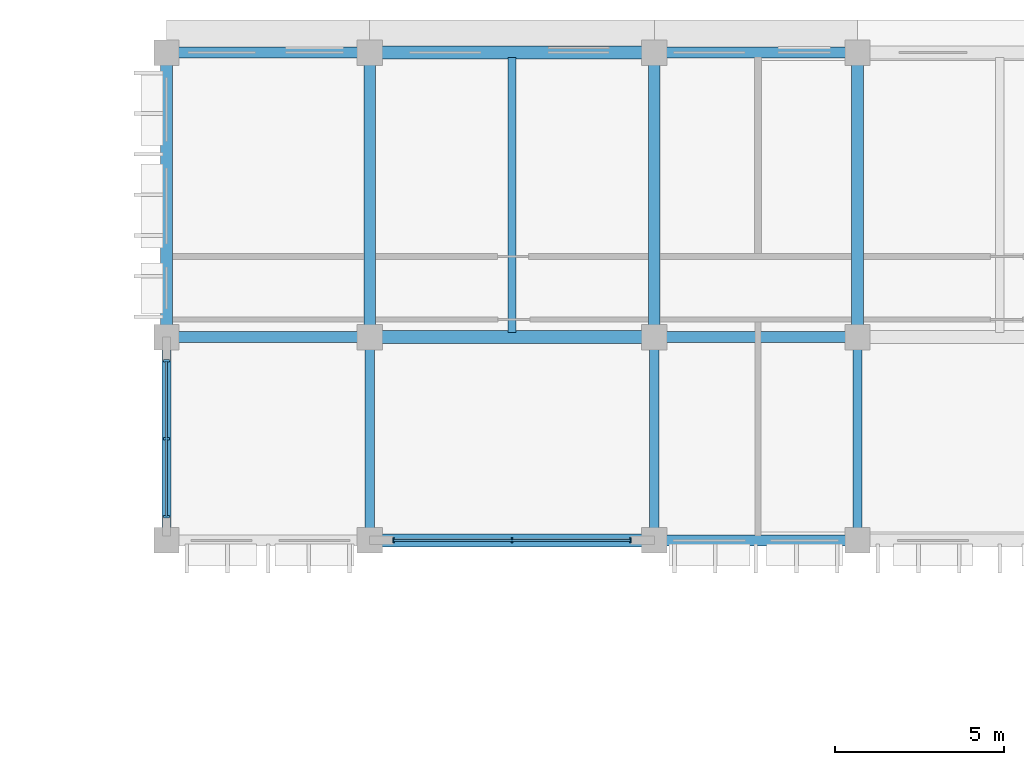
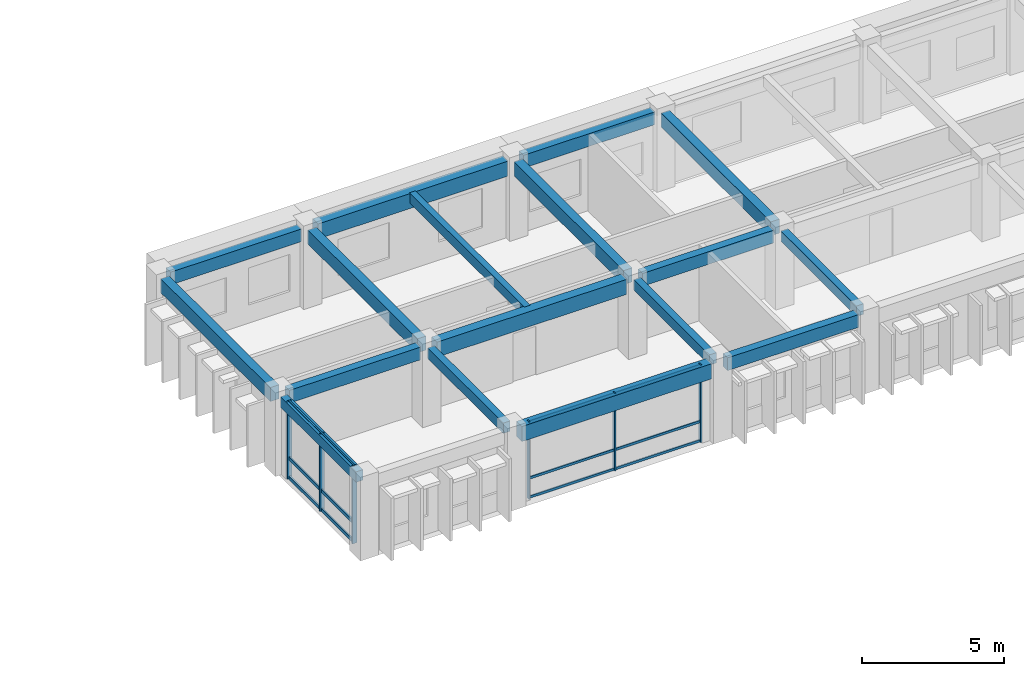
# One storey, part 29 of 88: 17 beams, 12 members, 2 elements without a shape of their own.
"""IFC4 building model written with IfcOpenShell, lengths in metres."""

import ifcopenshell
import ifcopenshell.guid

model = None  # the IFC model being written
_history = None  # IfcOwnerHistory: only IFC2X3 demands one
_inside = {}  # id of a spatial element -> (the spatial element, [elements in it])
_under = {}  # id of a project, library or spatial element -> (it, [spatial elements below it])
_declared = {}  # id of a project -> (the project, [libraries it declares])
_typed = {}  # id of a type object -> (the type object, [elements of that type])
_made_of = {}  # id of a material, layer set ... -> (it, [elements and type objects made of it])


def new_model(schema):
    """Start an empty IFC model of exactly this schema.

    Asked for "IFC4X3", IfcOpenShell would pick the latest addendum, in which some entities
    have other attributes; the version numbers below select the first issue.
    IFC2X3 requires an IfcOwnerHistory on every rooted entity: one is made here for all.
    """
    global model, _history
    if schema == "IFC4X3":
        model = ifcopenshell.file(schema_version=(4, 3, 0, 0))
    else:
        model = ifcopenshell.file(schema=schema)
    _inside.clear()
    _under.clear()
    _declared.clear()
    _typed.clear()
    _made_of.clear()
    _history = None
    if model.schema == "IFC2X3":
        org = make("IfcOrganization", Name="unknown")
        user = make(
            "IfcPersonAndOrganization",
            ThePerson=make("IfcPerson", FamilyName="unknown"),
            TheOrganization=org,
        )
        app = make(
            "IfcApplication",
            ApplicationDeveloper=org,
            Version="unknown",
            ApplicationFullName="unknown",
            ApplicationIdentifier="unknown",
        )
        _history = make(
            "IfcOwnerHistory",
            OwningUser=user,
            OwningApplication=app,
            ChangeAction="ADDED",
            CreationDate=0,
        )
    return model


def make(cls, **values):
    """One entity of the class cls with the attributes given. An attribute that is None is left unset."""
    return model.create_entity(
        cls, **{name: value for name, value in values.items() if value is not None}
    )


def rooted(cls, **values):
    """An entity with a GlobalId (a new one), such as an element, a storey or a relation."""
    return make(cls, GlobalId=ifcopenshell.guid.new(), OwnerHistory=_history, **values)


def si_unit(unit_type, name, prefix=None):
    """IfcSIUnit, for example si_unit("LENGTHUNIT", "METRE", prefix="MILLI")."""
    return make("IfcSIUnit", UnitType=unit_type, Prefix=prefix, Name=name)


def assignment(units):
    """IfcUnitAssignment: the units of a project."""
    return None if units is None else make("IfcUnitAssignment", Units=units)


def point(xyz):
    """IfcCartesianPoint."""
    return None if xyz is None else make("IfcCartesianPoint", Coordinates=xyz)


def direction(xyz):
    """IfcDirection."""
    return None if xyz is None else make("IfcDirection", DirectionRatios=xyz)


def frame(location, z_axis=None, x_axis=None):
    """IfcAxis2Placement3D, a coordinate frame: its origin and axes. An axis left out is left unset."""
    return make(
        "IfcAxis2Placement3D",
        Location=point(location),
        Axis=direction(z_axis),
        RefDirection=direction(x_axis),
    )


def frame_2d(location, x_axis=None):
    """IfcAxis2Placement2D, a coordinate frame in the plane: its origin and x axis."""
    return make(
        "IfcAxis2Placement2D", Location=point(location), RefDirection=direction(x_axis)
    )


def origin():
    """The frame at (0, 0, 0) with its axes left unset."""
    return frame((0.0, 0.0, 0.0))


def origin_2d():
    """The frame at (0, 0) in the plane with its x axis left unset."""
    return frame_2d((0.0, 0.0))


def place(relative_to, where):
    """IfcLocalPlacement: puts the frame where relative to a parent placement (None: the world)."""
    return make(
        "IfcLocalPlacement", PlacementRelTo=relative_to, RelativePlacement=where
    )


def context(
    kind, dimensions, precision=None, world=None, true_north=None, identifier=None
):
    """IfcGeometricRepresentationContext, for example the 3D "Model" context."""
    return make(
        "IfcGeometricRepresentationContext",
        ContextIdentifier=identifier,
        ContextType=kind,
        CoordinateSpaceDimension=dimensions,
        Precision=precision,
        WorldCoordinateSystem=world,
        TrueNorth=true_north,
    )


def subcontext(parent, identifier, kind, view, scale=None):
    """IfcGeometricRepresentationSubContext, for example "Body" below "Model"."""
    return make(
        "IfcGeometricRepresentationSubContext",
        ContextIdentifier=identifier,
        ContextType=kind,
        ParentContext=parent,
        TargetScale=scale,
        TargetView=view,
    )


def project(units=None, contexts=None):
    """IfcProject with its units and contexts."""
    return rooted(
        "IfcProject",
        Name="project",
        RepresentationContexts=contexts,
        UnitsInContext=assignment(units),
    )


def spatial(cls, under=None, at=None, **own):
    """A site, building, storey or space (cls), placed at a placement, below another one or the project."""
    s = rooted(cls, ObjectPlacement=at, **own)
    if under is not None:
        _under.setdefault(under.id(), (under, []))[1].append(s)
    return s


def profile(cls, at=None, kind="AREA", **sizes):
    """A parametric profile (cls). Its sizes go by their IFC names, for example OverallWidth=200.0."""
    return make(cls, ProfileType=kind, Position=at, **sizes)


def rectangle(**sizes):
    """IfcRectangleProfileDef."""
    return profile("IfcRectangleProfileDef", **sizes)


def extrude(swept, where, along, depth):
    """IfcExtrudedAreaSolid: the profile swept, set in the frame where, extruded along a direction by depth."""
    return make(
        "IfcExtrudedAreaSolid",
        SweptArea=swept,
        Position=where,
        ExtrudedDirection=direction(along),
        Depth=depth,
    )


def shape(context_of_items, identifier, shape_type, items):
    """IfcShapeRepresentation: the items that make up one representation, for example the "Body"."""
    return make(
        "IfcShapeRepresentation",
        ContextOfItems=context_of_items,
        RepresentationIdentifier=identifier,
        RepresentationType=shape_type,
        Items=items,
    )


def material(Name=None, Category=None):
    """IfcMaterial."""
    return make("IfcMaterial", Name=Name, Category=Category)


def material_profile(
    of_material, cross_section, Name=None, Category=None, Priority=None
):
    """IfcMaterialProfile: a cross section and its material."""
    return make(
        "IfcMaterialProfile",
        Name=Name,
        Material=of_material,
        Profile=cross_section,
        Priority=Priority,
        Category=Category,
    )


def profile_set(profiles, Name=None, composite=None):
    """IfcMaterialProfileSet."""
    return make(
        "IfcMaterialProfileSet",
        Name=Name,
        MaterialProfiles=profiles,
        CompositeProfile=composite,
    )


def made_of(thing, what):
    """Note that an element or type object is made of a material, layer set ...; save() writes the relation."""
    if what is not None:
        _made_of.setdefault(what.id(), (what, []))[1].append(thing)
    return thing


def type_object(cls, material=None, **own):
    """A type object (cls), such as IfcWallType, which elements share."""
    return made_of(rooted(cls, **own), material)


def element(
    cls,
    number,
    at=None,
    inside=None,
    cuts=None,
    type_object=None,
    material=None,
    context=None,
    identifier="Body",
    shape_type=None,
    held_by="IfcProductDefinitionShape",
    body=None,
    shapes=None,
    **own,
):
    """One element of the class cls, such as IfcWall. Its Tag is "e" and its number.

    at: its placement. inside: the storey or other place that contains it. cuts: it is an
    opening in that element (IfcRelVoidsElement). A single representation is given by context,
    identifier, shape_type and body (its items); several are given by shapes. held_by: the class
    of the entity that holds the representations. save() writes the other relations.
    """
    e = rooted(cls, Tag="e%d" % number, ObjectPlacement=at, **own)
    if body is not None:
        shapes = [shape(context, identifier, shape_type, body)]
    if shapes is not None:
        e.Representation = make(held_by, Representations=shapes)
    if inside is not None:
        _inside.setdefault(inside.id(), (inside, []))[1].append(e)
    if cuts is not None:
        rooted(
            "IfcRelVoidsElement", RelatingBuildingElement=cuts, RelatedOpeningElement=e
        )
    if type_object is not None:
        _typed.setdefault(type_object.id(), (type_object, []))[1].append(e)
    return made_of(e, material)


def aggregate(whole, parts):
    """IfcRelAggregates: a whole, such as a stair, and the parts it consists of."""
    return rooted("IfcRelAggregates", RelatingObject=whole, RelatedObjects=parts)


def save(model, path):
    """Write the relations noted so far, then the file.

    IfcRelAggregates (storeys below a building ...), IfcRelContainedInSpatialStructure (elements
    in a storey), IfcRelDefinesByType, IfcRelAssociatesMaterial and IfcRelDeclares: one each for
    every whole, place, type object, material and project.
    """
    for whole, parts in _under.values():
        aggregate(whole, parts)
    for where, things in _inside.values():
        rooted(
            "IfcRelContainedInSpatialStructure",
            RelatedElements=things,
            RelatingStructure=where,
        )
    for kind, things in _typed.values():
        rooted("IfcRelDefinesByType", RelatedObjects=things, RelatingType=kind)
    for what, things in _made_of.values():
        rooted("IfcRelAssociatesMaterial", RelatedObjects=things, RelatingMaterial=what)
    for by, libraries in _declared.values():
        rooted("IfcRelDeclares", RelatingContext=by, RelatedDefinitions=libraries)
    model.write(path)


model = new_model("IFC4")

# Units and contexts
model_context = context("Model", 3, precision=1e-05, world=origin(), true_north=direction((0.0, 1.0)))
body_context = subcontext(model_context, "Body", "Model", "MODEL_VIEW")
ifc_project = project(units=[si_unit("LENGTHUNIT", "METRE"), si_unit("AREAUNIT", "SQUARE_METRE"), si_unit("VOLUMEUNIT", "CUBIC_METRE"), si_unit("PLANEANGLEUNIT", "RADIAN"), si_unit("MASSUNIT", "GRAM", prefix="KILO"), si_unit("THERMODYNAMICTEMPERATUREUNIT", "KELVIN")], contexts=[model_context])

# Site, building, storey
site_placement = place(None, origin())
site = spatial("IfcSite", under=ifc_project, at=site_placement, CompositionType="ELEMENT")
building_placement = place(site_placement, origin())
building = spatial("IfcBuilding", under=site, at=building_placement, Name="Thalorik Housing Commons", CompositionType="ELEMENT")
storey_placement = place(building_placement, frame((0.0, 0.0, 4.5)))
storey = spatial("IfcBuildingStorey", under=building, at=storey_placement, Name="L01", CompositionType="ELEMENT", Elevation=4.5)

# Curtain wall, members
ifc_material_1 = material(Name="Anodised aluminium and solar-control low-E glass", Category="aluminium")
curtain_wall_type = type_object("IfcCurtainWallType", Name="ARC-CW-LOUNGE", PredefinedType="USERDEFINED", material=ifc_material_1)
curtain_wall_1_placement = place(storey_placement, origin())
curtain_wall_1 = element("IfcCurtainWall", 1, at=curtain_wall_1_placement, inside=storey, type_object=curtain_wall_type, Name="L01 Curtain Wall CW-RES-L01-B-075", ObjectType="CURTAIN WALL", PredefinedType="USERDEFINED")
ifc_material_2 = material(Name="Anodised aluminium 6063-T6", Category="aluminium")
ifc_material_profile_1 = material_profile(ifc_material_2, rectangle(XDim=0.054931640625, YDim=0.139892578125, at=origin_2d()), Name="ALU MUL 55x140", Category="aluminium")
ifc_profile_set_1 = profile_set([ifc_material_profile_1], Name="Anodised aluminium 6063-T6")
member_type_1 = type_object("IfcMemberType", Name="ARC-CW-MUL-55x140", PredefinedType="MULLION", material=ifc_profile_set_1)
member_1_placement = place(storey_placement, frame((87.10009765625, 109.199951171875, 0.0), z_axis=(0.0, 0.0, 1.0), x_axis=(1.0, 0.0, 0.0)))
member_1 = element("IfcMember", 2, at=member_1_placement, type_object=member_type_1, Name="CW-RES-L01-B-075 Mullion 1", PredefinedType="MULLION", context=body_context, shape_type="SweptSolid", body=[
    extrude(rectangle(XDim=0.054931640625, YDim=0.139892578125, at=origin_2d()), origin(), (0.0, 0.0, 1.0), 3.340087890625),
])
member_2_placement = place(storey_placement, frame((90.60009765625, 109.199951171875, 0.0), z_axis=(0.0, 0.0, 1.0), x_axis=(1.0, 0.0, 0.0)))
member_2 = element("IfcMember", 3, at=member_2_placement, type_object=member_type_1, Name="CW-RES-L01-B-075 Mullion 2", PredefinedType="MULLION", context=body_context, shape_type="SweptSolid", body=[
    extrude(rectangle(XDim=0.054931640625, YDim=0.139892578125, at=origin_2d()), origin(), (0.0, 0.0, 1.0), 3.340087890625),
])
member_3_placement = place(storey_placement, frame((94.10009765625, 109.199951171875, 0.0), z_axis=(0.0, 0.0, 1.0), x_axis=(1.0, 0.0, 0.0)))
member_3 = element("IfcMember", 4, at=member_3_placement, type_object=member_type_1, Name="CW-RES-L01-B-075 Mullion 3", PredefinedType="MULLION", context=body_context, shape_type="SweptSolid", body=[
    extrude(rectangle(XDim=0.054931640625, YDim=0.139892578125, at=origin_2d()), origin(), (0.0, 0.0, 1.0), 3.340087890625),
])

curtain_wall_2_placement = place(storey_placement, origin())
curtain_wall_2 = element("IfcCurtainWall", 5, at=curtain_wall_2_placement, inside=storey, type_object=curtain_wall_type, Name="L01 Curtain Wall CW-RES-L01-B-074", ObjectType="CURTAIN WALL", PredefinedType="USERDEFINED")
ifc_material_profile_2 = material_profile(ifc_material_2, rectangle(XDim=0.06494140625, YDim=0.179931640625, at=origin_2d()), Name="ALU MUL 65x180", Category="aluminium")
ifc_profile_set_2 = profile_set([ifc_material_profile_2], Name="Anodised aluminium 6063-T6")
member_type_2 = type_object("IfcMemberType", Name="ARC-CW-MUL-65x180", PredefinedType="MULLION", material=ifc_profile_set_2)
member_4_placement = place(storey_placement, frame((80.39990234375, 114.5, 0.0), z_axis=(0.0, 0.0, 1.0), x_axis=(0.0, -1.0, 0.0)))
member_4 = element("IfcMember", 6, at=member_4_placement, type_object=member_type_2, Name="CW-RES-L01-B-074 Mullion 1", PredefinedType="MULLION", context=body_context, shape_type="SweptSolid", body=[
    extrude(rectangle(XDim=0.06494140625, YDim=0.179931640625, at=origin_2d()), origin(), (0.0, 0.0, 1.0), 3.340087890625),
])
member_5_placement = place(storey_placement, frame((80.39990234375, 112.199951171875, 0.0), z_axis=(0.0, 0.0, 1.0), x_axis=(0.0, -1.0, 0.0)))
member_5 = element("IfcMember", 7, at=member_5_placement, type_object=member_type_2, Name="CW-RES-L01-B-074 Mullion 2", PredefinedType="MULLION", context=body_context, shape_type="SweptSolid", body=[
    extrude(rectangle(XDim=0.06494140625, YDim=0.179931640625, at=origin_2d()), origin(), (0.0, 0.0, 1.0), 3.340087890625),
])
member_6_placement = place(storey_placement, frame((80.39990234375, 109.89990234375, 0.0), z_axis=(0.0, 0.0, 1.0), x_axis=(0.0, -1.0, 0.0)))
member_6 = element("IfcMember", 8, at=member_6_placement, type_object=member_type_2, Name="CW-RES-L01-B-074 Mullion 3", PredefinedType="MULLION", context=body_context, shape_type="SweptSolid", body=[
    extrude(rectangle(XDim=0.06494140625, YDim=0.179931640625, at=origin_2d()), origin(), (0.0, 0.0, 1.0), 3.340087890625),
])

# Member
ifc_material_profile_3 = material_profile(ifc_material_2, rectangle(XDim=0.054931640625, YDim=0.10498046875, at=origin_2d()), Name="ALU TRN 55x105", Category="aluminium")
ifc_profile_set_3 = profile_set([ifc_material_profile_3], Name="Anodised aluminium 6063-T6")
member_type_3 = type_object("IfcMemberType", Name="ARC-CW-TRN-55x105", PredefinedType="USERDEFINED", material=ifc_profile_set_3)
member_7_placement = place(storey_placement, frame((87.10009765625, 109.199951171875, 0.054931640625), z_axis=(1.0, 0.0, 0.0), x_axis=(0.0, 1.0, 0.0)))
member_7 = element("IfcMember", 9, at=member_7_placement, type_object=member_type_3, Name="CW-RES-L01-B-075 Transom 1", ObjectType="TRANSOM", PredefinedType="USERDEFINED", context=body_context, shape_type="SweptSolid", body=[
    extrude(rectangle(XDim=0.054931640625, YDim=0.10498046875, at=origin_2d()), origin(), (0.0, 0.0, 1.0), 7.0),
])

member_8_placement = place(storey_placement, frame((87.10009765625, 109.199951171875, 0.8798828125), z_axis=(1.0, 0.0, 0.0), x_axis=(0.0, 1.0, 0.0)))
member_8 = element("IfcMember", 10, at=member_8_placement, type_object=member_type_3, Name="CW-RES-L01-B-075 Transom 2", ObjectType="TRANSOM", PredefinedType="USERDEFINED", context=body_context, shape_type="SweptSolid", body=[
    extrude(rectangle(XDim=0.054931640625, YDim=0.10498046875, at=origin_2d()), origin(), (0.0, 0.0, 1.0), 7.0),
])

member_9_placement = place(storey_placement, frame((87.10009765625, 109.199951171875, 3.284912109375), z_axis=(1.0, 0.0, 0.0), x_axis=(0.0, 1.0, 0.0)))
member_9 = element("IfcMember", 11, at=member_9_placement, type_object=member_type_3, Name="CW-RES-L01-B-075 Transom 3", ObjectType="TRANSOM", PredefinedType="USERDEFINED", context=body_context, shape_type="SweptSolid", body=[
    extrude(rectangle(XDim=0.054931640625, YDim=0.10498046875, at=origin_2d()), origin(), (0.0, 0.0, 1.0), 7.0),
])

aggregate(curtain_wall_1, [member_1, member_2, member_3, member_7, member_8, member_9])

ifc_material_profile_4 = material_profile(ifc_material_2, rectangle(XDim=0.06494140625, YDim=0.14990234375, at=origin_2d()), Name="ALU TRN 65x150", Category="aluminium")
ifc_profile_set_4 = profile_set([ifc_material_profile_4], Name="Anodised aluminium 6063-T6")
member_type_4 = type_object("IfcMemberType", Name="ARC-CW-TRN-65x150", PredefinedType="USERDEFINED", material=ifc_profile_set_4)
member_10_placement = place(storey_placement, frame((80.39990234375, 114.5, 0.054931640625), z_axis=(0.0, -1.0, 0.0), x_axis=(1.0, 0.0, 0.0)))
member_10 = element("IfcMember", 12, at=member_10_placement, type_object=member_type_4, Name="CW-RES-L01-B-074 Transom 1", ObjectType="TRANSOM", PredefinedType="USERDEFINED", context=body_context, shape_type="SweptSolid", body=[
    extrude(rectangle(XDim=0.06494140625, YDim=0.14990234375, at=origin_2d()), origin(), (0.0, 0.0, 1.0), 4.60009765625),
])

member_11_placement = place(storey_placement, frame((80.39990234375, 114.5, 0.8798828125), z_axis=(0.0, -1.0, 0.0), x_axis=(1.0, 0.0, 0.0)))
member_11 = element("IfcMember", 13, at=member_11_placement, type_object=member_type_4, Name="CW-RES-L01-B-074 Transom 2", ObjectType="TRANSOM", PredefinedType="USERDEFINED", context=body_context, shape_type="SweptSolid", body=[
    extrude(rectangle(XDim=0.06494140625, YDim=0.14990234375, at=origin_2d()), origin(), (0.0, 0.0, 1.0), 4.60009765625),
])

member_12_placement = place(storey_placement, frame((80.39990234375, 114.5, 3.284912109375), z_axis=(0.0, -1.0, 0.0), x_axis=(1.0, 0.0, 0.0)))
member_12 = element("IfcMember", 14, at=member_12_placement, type_object=member_type_4, Name="CW-RES-L01-B-074 Transom 3", ObjectType="TRANSOM", PredefinedType="USERDEFINED", context=body_context, shape_type="SweptSolid", body=[
    extrude(rectangle(XDim=0.06494140625, YDim=0.14990234375, at=origin_2d()), origin(), (0.0, 0.0, 1.0), 4.60009765625),
])

aggregate(curtain_wall_2, [member_4, member_5, member_6, member_10, member_11, member_12])

# Beams
ifc_material_3 = material(Name="Precast concrete C40/50", Category="concrete")
ifc_material_profile_5 = material_profile(ifc_material_3, rectangle(XDim=0.280029296875, YDim=0.449951171875, at=origin_2d()), Name="PC 280x450", Category="concrete")
ifc_profile_set_5 = profile_set([ifc_material_profile_5], Name="Precast concrete C40/50")
beam_type_1 = type_object("IfcBeamType", Name="STR-BM-PC280x450", PredefinedType="BEAM", material=ifc_profile_set_5)
for number, where, z_axis, x_axis, name in (
    (15, (80.39990234375, 109.52490234375, 3.114990234375), (0.0, 1.0, 0.0), (-1.0, 0.0, 0.0), "L01 Beam B-450"),
    (16, (86.39990234375, 109.52490234375, 3.114990234375), (0.0, 1.0, 0.0), (-1.0, 0.0, 0.0), "L01 Beam B-450"),
    (17, (94.800048828125, 109.52490234375, 3.114990234375), (0.0, 1.0, 0.0), (-1.0, 0.0, 0.0), "L01 Beam B-450"),
    (18, (100.800048828125, 109.52490234375, 3.114990234375), (0.0, 1.0, 0.0), (-1.0, 0.0, 0.0), "L01 Beam B-450"),
):
    element("IfcBeam", number, at=place(storey_placement, frame(where, z_axis=z_axis, x_axis=x_axis)), inside=storey, type_object=beam_type_1, Name=name, PredefinedType="BEAM", context=body_context, shape_type="SweptSolid", body=[
        extrude(rectangle(XDim=0.280029296875, YDim=0.449951171875, at=origin_2d()), origin(), (0.0, 0.0, 1.0), 5.35009765625),
    ])
ifc_material_profile_6 = material_profile(ifc_material_3, rectangle(XDim=0.320068359375, YDim=0.550048828125, at=origin_2d()), Name="PC 320x550", Category="concrete")
ifc_profile_set_6 = profile_set([ifc_material_profile_6], Name="Precast concrete C40/50")
beam_type_2 = type_object("IfcBeamType", Name="STR-BM-PC320x550", PredefinedType="BEAM", material=ifc_profile_set_6)
beam_1_placement = place(storey_placement, frame((95.125, 109.199951171875, 3.06494140625), z_axis=(1.0, 0.0, 0.0), x_axis=(0.0, 1.0, 0.0)))
element("IfcBeam", 19, at=beam_1_placement, inside=storey, type_object=beam_type_2, Name="L01 Beam B-550", PredefinedType="BEAM", context=body_context, shape_type="SweptSolid", body=[
    extrude(rectangle(XDim=0.320068359375, YDim=0.550048828125, at=origin_2d()), origin(), (0.0, 0.0, 1.0), 5.35009765625),
])
beam_2_placement = place(storey_placement, frame((80.72509765625, 115.199951171875, 3.06494140625), z_axis=(1.0, 0.0, 0.0), x_axis=(0.0, 1.0, 0.0)))
element("IfcBeam", 20, at=beam_2_placement, inside=storey, type_object=beam_type_2, Name="L01 Beam B-550", PredefinedType="BEAM", context=body_context, shape_type="SweptSolid", body=[
    extrude(rectangle(XDim=0.320068359375, YDim=0.550048828125, at=origin_2d()), origin(), (0.0, 0.0, 1.0), 5.349853515625),
])
beam_3_placement = place(storey_placement, frame((95.125, 115.199951171875, 3.06494140625), z_axis=(1.0, 0.0, 0.0), x_axis=(0.0, 1.0, 0.0)))
element("IfcBeam", 21, at=beam_3_placement, inside=storey, type_object=beam_type_2, Name="L01 Beam B-550", PredefinedType="BEAM", context=body_context, shape_type="SweptSolid", body=[
    extrude(rectangle(XDim=0.320068359375, YDim=0.550048828125, at=origin_2d()), origin(), (0.0, 0.0, 1.0), 5.35009765625),
])
beam_4_placement = place(storey_placement, frame((80.72509765625, 123.60009765625, 3.06494140625), z_axis=(1.0, 0.0, 0.0), x_axis=(0.0, 1.0, 0.0)))
element("IfcBeam", 22, at=beam_4_placement, inside=storey, type_object=beam_type_2, Name="L01 Beam B-550", PredefinedType="BEAM", context=body_context, shape_type="SweptSolid", body=[
    extrude(rectangle(XDim=0.320068359375, YDim=0.550048828125, at=origin_2d()), origin(), (0.0, 0.0, 1.0), 5.349853515625),
])
beam_5_placement = place(storey_placement, frame((95.125, 123.60009765625, 3.06494140625), z_axis=(1.0, 0.0, 0.0), x_axis=(0.0, 1.0, 0.0)))
element("IfcBeam", 23, at=beam_5_placement, inside=storey, type_object=beam_type_2, Name="L01 Beam B-550", PredefinedType="BEAM", context=body_context, shape_type="SweptSolid", body=[
    extrude(rectangle(XDim=0.320068359375, YDim=0.550048828125, at=origin_2d()), origin(), (0.0, 0.0, 1.0), 5.35009765625),
])
ifc_material_profile_7 = material_profile(ifc_material_3, rectangle(XDim=0.35009765625, YDim=0.60009765625, at=origin_2d()), Name="PC 350x600", Category="concrete")
ifc_profile_set_7 = profile_set([ifc_material_profile_7], Name="Precast concrete C40/50")
beam_type_3 = type_object("IfcBeamType", Name="STR-BM-PC350x600", PredefinedType="BEAM", material=ifc_profile_set_7)
for number, where, z_axis, x_axis, name in (
    (24, (80.39990234375, 115.52490234375, 3.0400390625), (0.0, 1.0, 0.0), (-1.0, 0.0, 0.0), "L01 Beam B-600"),
    (25, (86.39990234375, 115.52490234375, 3.0400390625), (0.0, 1.0, 0.0), (-1.0, 0.0, 0.0), "L01 Beam B-600"),
    (26, (94.800048828125, 115.52490234375, 3.0400390625), (0.0, 1.0, 0.0), (-1.0, 0.0, 0.0), "L01 Beam B-600"),
    (27, (100.800048828125, 115.52490234375, 3.0400390625), (0.0, 1.0, 0.0), (-1.0, 0.0, 0.0), "L01 Beam B-600"),
):
    element("IfcBeam", number, at=place(storey_placement, frame(where, z_axis=z_axis, x_axis=x_axis)), inside=storey, type_object=beam_type_3, Name=name, PredefinedType="BEAM", context=body_context, shape_type="SweptSolid", body=[
        extrude(rectangle(XDim=0.35009765625, YDim=0.60009765625, at=origin_2d()), origin(), (0.0, 0.0, 1.0), 7.75),
    ])
ifc_material_profile_8 = material_profile(ifc_material_3, rectangle(XDim=0.3798828125, YDim=0.64990234375, at=origin_2d()), Name="PC 380x650", Category="concrete")
ifc_profile_set_8 = profile_set([ifc_material_profile_8], Name="Precast concrete C40/50")
beam_type_4 = type_object("IfcBeamType", Name="STR-BM-PC380x650", PredefinedType="BEAM", material=ifc_profile_set_8)
for number, where, z_axis, x_axis, name in (
    (28, (86.72509765625, 109.199951171875, 3.014892578125), (1.0, 0.0, 0.0), (0.0, 1.0, 0.0), "L01 Beam B-650"),
    (29, (86.72509765625, 115.199951171875, 3.014892578125), (1.0, 0.0, 0.0), (0.0, 1.0, 0.0), "L01 Beam B-650"),
    (30, (86.72509765625, 123.60009765625, 3.014892578125), (1.0, 0.0, 0.0), (0.0, 1.0, 0.0), "L01 Beam B-650"),
):
    element("IfcBeam", number, at=place(storey_placement, frame(where, z_axis=z_axis, x_axis=x_axis)), inside=storey, type_object=beam_type_4, Name=name, PredefinedType="BEAM", context=body_context, shape_type="SweptSolid", body=[
        extrude(rectangle(XDim=0.3798828125, YDim=0.64990234375, at=origin_2d()), origin(), (0.0, 0.0, 1.0), 7.75),
    ])
ifc_material_profile_9 = material_profile(ifc_material_3, rectangle(XDim=0.239990234375, YDim=0.43994140625, at=origin_2d()), Name="PC JST 240x440", Category="concrete")
ifc_profile_set_9 = profile_set([ifc_material_profile_9], Name="Precast concrete C40/50")
beam_type_5 = type_object("IfcBeamType", Name="STR-JST-PC240x440", PredefinedType="JOIST", material=ifc_profile_set_9)
beam_6_placement = place(storey_placement, frame((90.60009765625, 115.340087890625, 3.1201171875), z_axis=(0.0, 1.0, 0.0), x_axis=(-1.0, 0.0, 0.0)))
element("IfcBeam", 31, at=beam_6_placement, inside=storey, type_object=beam_type_5, Name="L01 Beam J-440", PredefinedType="JOIST", context=body_context, shape_type="SweptSolid", body=[
    extrude(rectangle(XDim=0.239990234375, YDim=0.43994140625, at=origin_2d()), origin(), (0.0, 0.0, 1.0), 8.119873046875),
])

save(model, "model.ifc")
